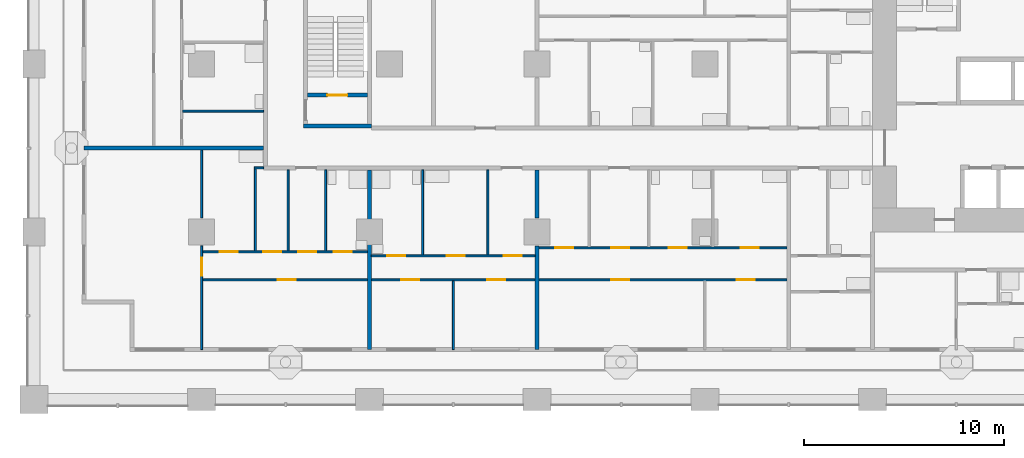
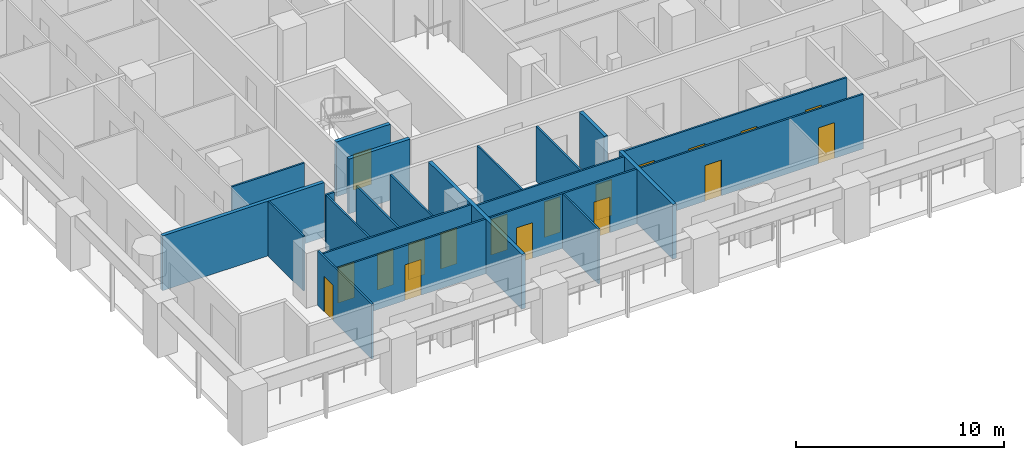
# One storey, part 2 of 22: 20 walls, 18 doors, 18 openings.
"""IFC4 building model written with IfcOpenShell, lengths in metres."""

from ifc_helpers import new_model, si_unit, direction, frame, frame_2d, origin, place, context, subcontext, project, spatial, rectangle, extrude, material, layer, layer_set, type_object, element, fill, save


model = new_model("IFC4")

# Units and contexts
model_context = context("Model", 3, precision=1e-05, world=origin(), true_north=direction((0.0, 1.0)))
body_context = subcontext(model_context, "Body", "Model", "MODEL_VIEW")
ifc_project = project(units=[si_unit("LENGTHUNIT", "METRE"), si_unit("AREAUNIT", "SQUARE_METRE"), si_unit("VOLUMEUNIT", "CUBIC_METRE"), si_unit("PLANEANGLEUNIT", "RADIAN"), si_unit("MASSUNIT", "GRAM", prefix="KILO")], contexts=[model_context])

# Site, building, storey
site_placement = place(None, origin())
site = spatial("IfcSite", under=ifc_project, at=site_placement, CompositionType="ELEMENT")
building_placement = place(site_placement, origin())
building = spatial("IfcBuilding", under=site, at=building_placement, Name="Vermilion Gate Residences", CompositionType="ELEMENT")
storey_placement = place(building_placement, frame((0.0, 0.0, 56.699951171875)))
storey = spatial("IfcBuildingStorey", under=building, at=storey_placement, Name="L13", CompositionType="ELEMENT", Elevation=56.699951171875)

# Wall, openings, doors
ifc_material_1 = material(Name="Plasterboard on steel studs", Category="steel")
ifc_layer_1 = layer(ifc_material_1, 0.10009765625)
ifc_layer_set_1 = layer_set([ifc_layer_1], Name="PARTITION 100")
wall_type_1 = type_object("IfcWallType", Name="PARTITION 100", PredefinedType="PARTITIONING", material=ifc_layer_set_1)
wall_1_placement = place(storey_placement, frame((8.449951171875, 6.0, 0.0), z_axis=(0.0, 0.0, 1.0), x_axis=(1.0, 0.0, 0.0)))
wall_1 = element("IfcWall", 1, at=wall_1_placement, inside=storey, type_object=wall_type_1, Name="Partition", PredefinedType="PARTITIONING", context=body_context, shape_type="SweptSolid", body=[
    extrude(rectangle(XDim=29.25, YDim=0.10009765625, at=frame_2d((14.625, 0.0))), origin(), (0.0, 0.0, 1.0), 3.219970703125),
])
opening_1_placement = place(wall_1_placement, frame((3.75, 0.0, 0.0)))
opening_1 = element("IfcOpeningElement", 2, at=opening_1_placement, cuts=wall_1, Name="Opening DA13006", PredefinedType="OPENING", context=body_context, shape_type="SweptSolid", body=[
    extrude(rectangle(XDim=0.89990234375, YDim=2.10009765625, at=frame_2d((0.449951171875, 1.050048828125))), frame((0.0, 0.06005859375, 0.0), z_axis=(0.0, -1.0, 0.0), x_axis=(1.0, 0.0, 0.0)), (0.0, 0.0, 1.0), 0.1201171875),
])
opening_2_placement = place(wall_1_placement, frame((9.949951171875, 0.0, 0.0)))
opening_2 = element("IfcOpeningElement", 3, at=opening_2_placement, cuts=wall_1, Name="Opening DA13007", PredefinedType="OPENING", context=body_context, shape_type="SweptSolid", body=[
    extrude(rectangle(XDim=0.89990234375, YDim=2.10009765625, at=frame_2d((0.449951171875, 1.050048828125))), frame((0.0, 0.06005859375, 0.0), z_axis=(0.0, -1.0, 0.0), x_axis=(1.0, 0.0, 0.0)), (0.0, 0.0, 1.0), 0.1201171875),
])
opening_3_placement = place(wall_1_placement, frame((14.25, 0.0, 0.0)))
opening_3 = element("IfcOpeningElement", 4, at=opening_3_placement, cuts=wall_1, Name="Opening DA13008", PredefinedType="OPENING", context=body_context, shape_type="SweptSolid", body=[
    extrude(rectangle(XDim=0.89990234375, YDim=2.10009765625, at=frame_2d((0.449951171875, 1.050048828125))), frame((0.0, 0.06005859375, 0.0), z_axis=(0.0, -1.0, 0.0), x_axis=(1.0, 0.0, 0.0)), (0.0, 0.0, 1.0), 0.1201171875),
])
opening_4_placement = place(wall_1_placement, frame((20.449951171875, 0.0, 0.0)))
opening_4 = element("IfcOpeningElement", 5, at=opening_4_placement, cuts=wall_1, Name="Opening DA13009", PredefinedType="OPENING", context=body_context, shape_type="SweptSolid", body=[
    extrude(rectangle(XDim=0.89990234375, YDim=2.10009765625, at=frame_2d((0.449951171875, 1.050048828125))), frame((0.0, 0.06005859375, 0.0), z_axis=(0.0, -1.0, 0.0), x_axis=(1.0, 0.0, 0.0)), (0.0, 0.0, 1.0), 0.1201171875),
])
opening_5_placement = place(wall_1_placement, frame((26.75, 0.0, 0.0)))
opening_5 = element("IfcOpeningElement", 6, at=opening_5_placement, cuts=wall_1, Name="Opening DA13010", PredefinedType="OPENING", context=body_context, shape_type="SweptSolid", body=[
    extrude(rectangle(XDim=0.89990234375, YDim=2.10009765625, at=frame_2d((0.449951171875, 1.050048828125))), frame((0.0, 0.06005859375, 0.0), z_axis=(0.0, -1.0, 0.0), x_axis=(1.0, 0.0, 0.0)), (0.0, 0.0, 1.0), 0.1201171875),
])
ifc_material_2 = material(Name="Timber", Category="wood")
door_type_1 = type_object("IfcDoorType", Name="INTERIOR DOOR 900 X 2100", OperationType="SINGLE_SWING_LEFT", PredefinedType="DOOR", material=ifc_material_2)
door_1_placement = place(opening_1_placement, frame((0.89990234375, 0.0, 0.0), z_axis=(0.0, 0.0, 1.0), x_axis=(-1.0, 0.0, 0.0)))
door_1 = element("IfcDoor", 7, at=door_1_placement, inside=storey, type_object=door_type_1, Name="Interior door", OperationType="SINGLE_SWING_RIGHT", OverallHeight=2.10009765625, OverallWidth=0.89990234375, PredefinedType="DOOR", context=body_context, shape_type="SweptSolid", body=[
    extrude(rectangle(XDim=0.89990234375, YDim=2.10009765625, at=frame_2d((0.449951171875, 1.050048828125))), frame((0.0, 0.02490234375, 0.0), z_axis=(0.0, -1.0, 0.0), x_axis=(1.0, 0.0, 0.0)), (0.0, 0.0, 1.0), 0.050048828125),
])
fill(opening_1, door_1)
door_2_placement = place(opening_2_placement, frame((0.89990234375, 0.0, 0.0), z_axis=(0.0, 0.0, 1.0), x_axis=(-1.0, 0.0, 0.0)))
door_2 = element("IfcDoor", 8, at=door_2_placement, inside=storey, type_object=door_type_1, Name="Interior door", OperationType="SINGLE_SWING_RIGHT", OverallHeight=2.10009765625, OverallWidth=0.89990234375, PredefinedType="DOOR", context=body_context, shape_type="SweptSolid", body=[
    extrude(rectangle(XDim=0.89990234375, YDim=2.10009765625, at=frame_2d((0.449951171875, 1.050048828125))), frame((0.0, 0.02490234375, 0.0), z_axis=(0.0, -1.0, 0.0), x_axis=(1.0, 0.0, 0.0)), (0.0, 0.0, 1.0), 0.050048828125),
])
fill(opening_2, door_2)
door_3_placement = place(opening_3_placement, frame((0.89990234375, 0.0, 0.0), z_axis=(0.0, 0.0, 1.0), x_axis=(-1.0, 0.0, 0.0)))
door_3 = element("IfcDoor", 9, at=door_3_placement, inside=storey, type_object=door_type_1, Name="Interior door", OperationType="SINGLE_SWING_LEFT", OverallHeight=2.10009765625, OverallWidth=0.89990234375, PredefinedType="DOOR", context=body_context, shape_type="SweptSolid", body=[
    extrude(rectangle(XDim=0.89990234375, YDim=2.10009765625, at=frame_2d((0.449951171875, 1.050048828125))), frame((0.0, 0.02490234375, 0.0), z_axis=(0.0, -1.0, 0.0), x_axis=(1.0, 0.0, 0.0)), (0.0, 0.0, 1.0), 0.050048828125),
])
fill(opening_3, door_3)
door_4_placement = place(opening_4_placement, frame((0.89990234375, 0.0, 0.0), z_axis=(0.0, 0.0, 1.0), x_axis=(-1.0, 0.0, 0.0)))
door_4 = element("IfcDoor", 10, at=door_4_placement, inside=storey, type_object=door_type_1, Name="Interior door", OperationType="SINGLE_SWING_RIGHT", OverallHeight=2.10009765625, OverallWidth=0.89990234375, PredefinedType="DOOR", context=body_context, shape_type="SweptSolid", body=[
    extrude(rectangle(XDim=0.89990234375, YDim=2.10009765625, at=frame_2d((0.449951171875, 1.050048828125))), frame((0.0, 0.02490234375, 0.0), z_axis=(0.0, -1.0, 0.0), x_axis=(1.0, 0.0, 0.0)), (0.0, 0.0, 1.0), 0.050048828125),
])
fill(opening_4, door_4)
door_5_placement = place(opening_5_placement, frame((0.89990234375, 0.0, 0.0), z_axis=(0.0, 0.0, 1.0), x_axis=(-1.0, 0.0, 0.0)))
door_5 = element("IfcDoor", 11, at=door_5_placement, inside=storey, type_object=door_type_1, Name="Interior door", OperationType="SINGLE_SWING_RIGHT", OverallHeight=2.10009765625, OverallWidth=0.89990234375, PredefinedType="DOOR", context=body_context, shape_type="SweptSolid", body=[
    extrude(rectangle(XDim=0.89990234375, YDim=2.10009765625, at=frame_2d((0.449951171875, 1.050048828125))), frame((0.0, 0.02490234375, 0.0), z_axis=(0.0, -1.0, 0.0), x_axis=(1.0, 0.0, 0.0)), (0.0, 0.0, 1.0), 0.050048828125),
])
fill(opening_5, door_5)

wall_2_placement = place(storey_placement, frame((16.89990234375, 7.199951171875, 0.0), z_axis=(0.0, 0.0, 1.0), x_axis=(1.0, 0.0, 0.0)))
wall_2 = element("IfcWall", 12, at=wall_2_placement, inside=storey, type_object=wall_type_1, Name="Partition", PredefinedType="PARTITIONING", context=body_context, shape_type="SweptSolid", body=[
    extrude(rectangle(XDim=8.2001953125, YDim=0.10009765625, at=frame_2d((4.10009765625, 0.0))), origin(), (0.0, 0.0, 1.0), 3.219970703125),
])
opening_6_placement = place(wall_2_placement, frame((6.633056640625, 0.0, 0.0)))
opening_6 = element("IfcOpeningElement", 13, at=opening_6_placement, cuts=wall_2, Name="Opening DA13014", PredefinedType="OPENING", context=body_context, shape_type="SweptSolid", body=[
    extrude(rectangle(XDim=0.89990234375, YDim=2.10009765625, at=frame_2d((0.449951171875, 1.050048828125))), frame((0.0, 0.06005859375, 0.0), z_axis=(0.0, -1.0, 0.0), x_axis=(1.0, 0.0, 0.0)), (0.0, 0.0, 1.0), 0.1201171875),
])
opening_7_placement = place(wall_2_placement, frame((0.800048828125, 0.0, 0.0)))
opening_7 = element("IfcOpeningElement", 14, at=opening_7_placement, cuts=wall_2, Name="Opening DA13015", PredefinedType="OPENING", context=body_context, shape_type="SweptSolid", body=[
    extrude(rectangle(XDim=0.89990234375, YDim=2.10009765625, at=frame_2d((0.449951171875, 1.050048828125))), frame((0.0, 0.06005859375, 0.0), z_axis=(0.0, -1.0, 0.0), x_axis=(1.0, 0.0, 0.0)), (0.0, 0.0, 1.0), 0.1201171875),
])
opening_8_placement = place(wall_2_placement, frame((3.76708984375, 0.0, 0.0)))
opening_8 = element("IfcOpeningElement", 15, at=opening_8_placement, cuts=wall_2, Name="Opening DA13016", PredefinedType="OPENING", context=body_context, shape_type="SweptSolid", body=[
    extrude(rectangle(XDim=0.89990234375, YDim=2.10009765625, at=frame_2d((0.449951171875, 1.050048828125))), frame((0.0, 0.06005859375, 0.0), z_axis=(0.0, -1.0, 0.0), x_axis=(1.0, 0.0, 0.0)), (0.0, 0.0, 1.0), 0.1201171875),
])
door_6_placement = place(opening_6_placement, frame((0.89990234375, 0.0, 0.0), z_axis=(0.0, 0.0, 1.0), x_axis=(-1.0, 0.0, 0.0)))
door_6 = element("IfcDoor", 16, at=door_6_placement, inside=storey, type_object=door_type_1, Name="Interior door", OperationType="SINGLE_SWING_LEFT", OverallHeight=2.10009765625, OverallWidth=0.89990234375, PredefinedType="DOOR", context=body_context, shape_type="SweptSolid", body=[
    extrude(rectangle(XDim=0.89990234375, YDim=2.10009765625, at=frame_2d((0.449951171875, 1.050048828125))), frame((0.0, 0.02490234375, 0.0), z_axis=(0.0, -1.0, 0.0), x_axis=(1.0, 0.0, 0.0)), (0.0, 0.0, 1.0), 0.050048828125),
])
fill(opening_6, door_6)
door_7_placement = place(opening_7_placement, origin())
door_7 = element("IfcDoor", 17, at=door_7_placement, inside=storey, type_object=door_type_1, Name="Interior door", OperationType="SINGLE_SWING_LEFT", OverallHeight=2.10009765625, OverallWidth=0.89990234375, PredefinedType="DOOR", context=body_context, shape_type="SweptSolid", body=[
    extrude(rectangle(XDim=0.89990234375, YDim=2.10009765625, at=frame_2d((0.449951171875, 1.050048828125))), frame((0.0, 0.02490234375, 0.0), z_axis=(0.0, -1.0, 0.0), x_axis=(1.0, 0.0, 0.0)), (0.0, 0.0, 1.0), 0.050048828125),
])
fill(opening_7, door_7)
door_8_placement = place(opening_8_placement, origin())
door_8 = element("IfcDoor", 18, at=door_8_placement, inside=storey, type_object=door_type_1, Name="Interior door", OperationType="SINGLE_SWING_RIGHT", OverallHeight=2.10009765625, OverallWidth=0.89990234375, PredefinedType="DOOR", context=body_context, shape_type="SweptSolid", body=[
    extrude(rectangle(XDim=0.89990234375, YDim=2.10009765625, at=frame_2d((0.449951171875, 1.050048828125))), frame((0.0, 0.02490234375, 0.0), z_axis=(0.0, -1.0, 0.0), x_axis=(1.0, 0.0, 0.0)), (0.0, 0.0, 1.0), 0.050048828125),
])
fill(opening_8, door_8)

wall_3_placement = place(storey_placement, frame((8.449951171875, 7.39990234375, 0.0), z_axis=(0.0, 0.0, 1.0), x_axis=(1.0, 0.0, 0.0)))
wall_3 = element("IfcWall", 19, at=wall_3_placement, inside=storey, type_object=wall_type_1, Name="Partition", PredefinedType="PARTITIONING", context=body_context, shape_type="SweptSolid", body=[
    extrude(rectangle(XDim=8.25, YDim=0.10009765625, at=frame_2d((4.125, 0.0))), origin(), (0.0, 0.0, 1.0), 3.219970703125),
])
opening_9_placement = place(wall_3_placement, frame((4.77587890625, 0.0, 0.0)))
opening_9 = element("IfcOpeningElement", 20, at=opening_9_placement, cuts=wall_3, Name="Opening DA13019", PredefinedType="OPENING", context=body_context, shape_type="SweptSolid", body=[
    extrude(rectangle(XDim=0.89990234375, YDim=2.10009765625, at=frame_2d((0.449951171875, 1.050048828125))), frame((0.0, 0.06005859375, 0.0), z_axis=(0.0, -1.0, 0.0), x_axis=(1.0, 0.0, 0.0)), (0.0, 0.0, 1.0), 0.1201171875),
])
opening_10_placement = place(wall_3_placement, frame((0.85009765625, 0.0, 0.0)))
opening_10 = element("IfcOpeningElement", 21, at=opening_10_placement, cuts=wall_3, Name="Opening DA13020", PredefinedType="OPENING", context=body_context, shape_type="SweptSolid", body=[
    extrude(rectangle(XDim=0.89990234375, YDim=2.10009765625, at=frame_2d((0.449951171875, 1.050048828125))), frame((0.0, 0.06005859375, 0.0), z_axis=(0.0, -1.0, 0.0), x_axis=(1.0, 0.0, 0.0)), (0.0, 0.0, 1.0), 0.1201171875),
])
opening_11_placement = place(wall_3_placement, frame((3.033935546875, 0.0, 0.0)))
opening_11 = element("IfcOpeningElement", 22, at=opening_11_placement, cuts=wall_3, Name="Opening DA13021", PredefinedType="OPENING", context=body_context, shape_type="SweptSolid", body=[
    extrude(rectangle(XDim=0.89990234375, YDim=2.10009765625, at=frame_2d((0.449951171875, 1.050048828125))), frame((0.0, 0.06005859375, 0.0), z_axis=(0.0, -1.0, 0.0), x_axis=(1.0, 0.0, 0.0)), (0.0, 0.0, 1.0), 0.1201171875),
])
opening_12_placement = place(wall_3_placement, frame((6.56103515625, 0.0, 0.0)))
opening_12 = element("IfcOpeningElement", 23, at=opening_12_placement, cuts=wall_3, Name="Opening DA13022", PredefinedType="OPENING", context=body_context, shape_type="SweptSolid", body=[
    extrude(rectangle(XDim=0.89990234375, YDim=2.10009765625, at=frame_2d((0.449951171875, 1.050048828125))), frame((0.0, 0.06005859375, 0.0), z_axis=(0.0, -1.0, 0.0), x_axis=(1.0, 0.0, 0.0)), (0.0, 0.0, 1.0), 0.1201171875),
])
door_9_placement = place(opening_9_placement, origin())
door_9 = element("IfcDoor", 24, at=door_9_placement, inside=storey, type_object=door_type_1, Name="Interior door", OperationType="SINGLE_SWING_RIGHT", OverallHeight=2.10009765625, OverallWidth=0.89990234375, PredefinedType="DOOR", context=body_context, shape_type="SweptSolid", body=[
    extrude(rectangle(XDim=0.89990234375, YDim=2.10009765625, at=frame_2d((0.449951171875, 1.050048828125))), frame((0.0, 0.02490234375, 0.0), z_axis=(0.0, -1.0, 0.0), x_axis=(1.0, 0.0, 0.0)), (0.0, 0.0, 1.0), 0.050048828125),
])
fill(opening_9, door_9)
door_10_placement = place(opening_10_placement, origin())
door_10 = element("IfcDoor", 25, at=door_10_placement, inside=storey, type_object=door_type_1, Name="Interior door", OperationType="SINGLE_SWING_RIGHT", OverallHeight=2.10009765625, OverallWidth=0.89990234375, PredefinedType="DOOR", context=body_context, shape_type="SweptSolid", body=[
    extrude(rectangle(XDim=0.89990234375, YDim=2.10009765625, at=frame_2d((0.449951171875, 1.050048828125))), frame((0.0, 0.02490234375, 0.0), z_axis=(0.0, -1.0, 0.0), x_axis=(1.0, 0.0, 0.0)), (0.0, 0.0, 1.0), 0.050048828125),
])
fill(opening_10, door_10)
door_11_placement = place(opening_11_placement, origin())
door_11 = element("IfcDoor", 26, at=door_11_placement, inside=storey, type_object=door_type_1, Name="Interior door", OperationType="SINGLE_SWING_RIGHT", OverallHeight=2.10009765625, OverallWidth=0.89990234375, PredefinedType="DOOR", context=body_context, shape_type="SweptSolid", body=[
    extrude(rectangle(XDim=0.89990234375, YDim=2.10009765625, at=frame_2d((0.449951171875, 1.050048828125))), frame((0.0, 0.02490234375, 0.0), z_axis=(0.0, -1.0, 0.0), x_axis=(1.0, 0.0, 0.0)), (0.0, 0.0, 1.0), 0.050048828125),
])
fill(opening_11, door_11)
door_12_placement = place(opening_12_placement, origin())
door_12 = element("IfcDoor", 27, at=door_12_placement, inside=storey, type_object=door_type_1, Name="Interior door", OperationType="SINGLE_SWING_RIGHT", OverallHeight=2.10009765625, OverallWidth=0.89990234375, PredefinedType="DOOR", context=body_context, shape_type="SweptSolid", body=[
    extrude(rectangle(XDim=0.89990234375, YDim=2.10009765625, at=frame_2d((0.449951171875, 1.050048828125))), frame((0.0, 0.02490234375, 0.0), z_axis=(0.0, -1.0, 0.0), x_axis=(1.0, 0.0, 0.0)), (0.0, 0.0, 1.0), 0.050048828125),
])
fill(opening_12, door_12)

wall_4_placement = place(storey_placement, frame((25.300048828125, 7.60009765625, 0.0), z_axis=(0.0, 0.0, 1.0), x_axis=(1.0, 0.0, 0.0)))
wall_4 = element("IfcWall", 28, at=wall_4_placement, inside=storey, type_object=wall_type_1, Name="Partition", PredefinedType="PARTITIONING", context=body_context, shape_type="SweptSolid", body=[
    extrude(rectangle(XDim=12.39990234375, YDim=0.10009765625, at=frame_2d((6.199951171875, 0.0))), origin(), (0.0, 0.0, 1.0), 3.219970703125),
])
opening_13_placement = place(wall_4_placement, frame((3.60009765625, 0.0, 0.0)))
opening_13 = element("IfcOpeningElement", 29, at=opening_13_placement, cuts=wall_4, Name="Opening DA13023", PredefinedType="OPENING", context=body_context, shape_type="SweptSolid", body=[
    extrude(rectangle(XDim=0.89990234375, YDim=2.10009765625, at=frame_2d((0.449951171875, 1.050048828125))), frame((0.0, 0.06005859375, 0.0), z_axis=(0.0, -1.0, 0.0), x_axis=(1.0, 0.0, 0.0)), (0.0, 0.0, 1.0), 0.1201171875),
])
opening_14_placement = place(wall_4_placement, frame((0.800048828125, 0.0, 0.0)))
opening_14 = element("IfcOpeningElement", 30, at=opening_14_placement, cuts=wall_4, Name="Opening DA13024", PredefinedType="OPENING", context=body_context, shape_type="SweptSolid", body=[
    extrude(rectangle(XDim=0.89990234375, YDim=2.10009765625, at=frame_2d((0.449951171875, 1.050048828125))), frame((0.0, 0.06005859375, 0.0), z_axis=(0.0, -1.0, 0.0), x_axis=(1.0, 0.0, 0.0)), (0.0, 0.0, 1.0), 0.1201171875),
])
opening_15_placement = place(wall_4_placement, frame((6.5, 0.0, 0.0)))
opening_15 = element("IfcOpeningElement", 31, at=opening_15_placement, cuts=wall_4, Name="Opening DA13025", PredefinedType="OPENING", context=body_context, shape_type="SweptSolid", body=[
    extrude(rectangle(XDim=0.89990234375, YDim=2.10009765625, at=frame_2d((0.449951171875, 1.050048828125))), frame((0.0, 0.06005859375, 0.0), z_axis=(0.0, -1.0, 0.0), x_axis=(1.0, 0.0, 0.0)), (0.0, 0.0, 1.0), 0.1201171875),
])
opening_16_placement = place(wall_4_placement, frame((10.10009765625, 0.0, 0.0)))
opening_16 = element("IfcOpeningElement", 32, at=opening_16_placement, cuts=wall_4, Name="Opening DA13026", PredefinedType="OPENING", context=body_context, shape_type="SweptSolid", body=[
    extrude(rectangle(XDim=0.89990234375, YDim=2.10009765625, at=frame_2d((0.449951171875, 1.050048828125))), frame((0.0, 0.06005859375, 0.0), z_axis=(0.0, -1.0, 0.0), x_axis=(1.0, 0.0, 0.0)), (0.0, 0.0, 1.0), 0.1201171875),
])
door_13_placement = place(opening_13_placement, origin())
door_13 = element("IfcDoor", 33, at=door_13_placement, inside=storey, type_object=door_type_1, Name="Interior door", OperationType="SINGLE_SWING_RIGHT", OverallHeight=2.10009765625, OverallWidth=0.89990234375, PredefinedType="DOOR", context=body_context, shape_type="SweptSolid", body=[
    extrude(rectangle(XDim=0.89990234375, YDim=2.10009765625, at=frame_2d((0.449951171875, 1.050048828125))), frame((0.0, 0.02490234375, 0.0), z_axis=(0.0, -1.0, 0.0), x_axis=(1.0, 0.0, 0.0)), (0.0, 0.0, 1.0), 0.050048828125),
])
fill(opening_13, door_13)
door_14_placement = place(opening_14_placement, origin())
door_14 = element("IfcDoor", 34, at=door_14_placement, inside=storey, type_object=door_type_1, Name="Interior door", OperationType="SINGLE_SWING_LEFT", OverallHeight=2.10009765625, OverallWidth=0.89990234375, PredefinedType="DOOR", context=body_context, shape_type="SweptSolid", body=[
    extrude(rectangle(XDim=0.89990234375, YDim=2.10009765625, at=frame_2d((0.449951171875, 1.050048828125))), frame((0.0, 0.02490234375, 0.0), z_axis=(0.0, -1.0, 0.0), x_axis=(1.0, 0.0, 0.0)), (0.0, 0.0, 1.0), 0.050048828125),
])
fill(opening_14, door_14)
door_15_placement = place(opening_15_placement, origin())
door_15 = element("IfcDoor", 35, at=door_15_placement, inside=storey, type_object=door_type_1, Name="Interior door", OperationType="SINGLE_SWING_RIGHT", OverallHeight=2.10009765625, OverallWidth=0.89990234375, PredefinedType="DOOR", context=body_context, shape_type="SweptSolid", body=[
    extrude(rectangle(XDim=0.89990234375, YDim=2.10009765625, at=frame_2d((0.449951171875, 1.050048828125))), frame((0.0, 0.02490234375, 0.0), z_axis=(0.0, -1.0, 0.0), x_axis=(1.0, 0.0, 0.0)), (0.0, 0.0, 1.0), 0.050048828125),
])
fill(opening_15, door_15)
door_16_placement = place(opening_16_placement, origin())
door_16 = element("IfcDoor", 36, at=door_16_placement, inside=storey, type_object=door_type_1, Name="Interior door", OperationType="SINGLE_SWING_LEFT", OverallHeight=2.10009765625, OverallWidth=0.89990234375, PredefinedType="DOOR", context=body_context, shape_type="SweptSolid", body=[
    extrude(rectangle(XDim=0.89990234375, YDim=2.10009765625, at=frame_2d((0.449951171875, 1.050048828125))), frame((0.0, 0.02490234375, 0.0), z_axis=(0.0, -1.0, 0.0), x_axis=(1.0, 0.0, 0.0)), (0.0, 0.0, 1.0), 0.050048828125),
])
fill(opening_16, door_16)

# Walls
wall_5_placement = place(storey_placement, frame((11.033935546875, 11.60009765625, 0.0), z_axis=(0.0, 0.0, 1.0), x_axis=(1.0, 0.0, 0.0)))
element("IfcWall", 37, at=wall_5_placement, inside=storey, type_object=wall_type_1, Name="Partition", PredefinedType="PARTITIONING", context=body_context, shape_type="SweptSolid", body=[
    extrude(rectangle(XDim=0.466064453125, YDim=0.10009765625, at=frame_2d((0.23291015625, 0.0))), origin(), (0.0, 0.0, 1.0), 3.219970703125),
])
wall_6_placement = place(storey_placement, frame((7.449951171875, 14.449951171875, 0.0), z_axis=(0.0, 0.0, 1.0), x_axis=(1.0, 0.0, 0.0)))
element("IfcWall", 38, at=wall_6_placement, inside=storey, type_object=wall_type_1, Name="Partition", PredefinedType="PARTITIONING", context=body_context, shape_type="SweptSolid", body=[
    extrude(rectangle(XDim=4.050048828125, YDim=0.10009765625, at=frame_2d((2.02490234375, 0.0))), origin(), (0.0, 0.0, 1.0), 3.219970703125),
])

# Wall, opening, door
wall_7_placement = place(storey_placement, frame((8.39990234375, 2.5, 0.0), z_axis=(0.0, 0.0, 1.0), x_axis=(0.0, 1.0, 0.0)))
wall_7 = element("IfcWall", 39, at=wall_7_placement, inside=storey, type_object=wall_type_1, Name="Partition", PredefinedType="PARTITIONING", context=body_context, shape_type="SweptSolid", body=[
    extrude(rectangle(XDim=5.199951171875, YDim=0.10009765625, at=frame_2d((2.60009765625, 0.0))), origin(), (0.0, 0.0, 1.0), 3.219970703125),
])
opening_17_placement = place(wall_7_placement, frame((3.699951171875, 0.0, 0.0)))
opening_17 = element("IfcOpeningElement", 40, at=opening_17_placement, cuts=wall_7, Name="Opening DA13065", PredefinedType="OPENING", context=body_context, shape_type="SweptSolid", body=[
    extrude(rectangle(XDim=0.89990234375, YDim=2.10009765625, at=frame_2d((0.449951171875, 1.050048828125))), frame((0.0, 0.06005859375, 0.0), z_axis=(0.0, -1.0, 0.0), x_axis=(1.0, 0.0, 0.0)), (0.0, 0.0, 1.0), 0.1201171875),
])
door_17_placement = place(opening_17_placement, origin())
door_17 = element("IfcDoor", 41, at=door_17_placement, inside=storey, type_object=door_type_1, Name="Interior door", OperationType="SINGLE_SWING_RIGHT", OverallHeight=2.10009765625, OverallWidth=0.89990234375, PredefinedType="DOOR", context=body_context, shape_type="SweptSolid", body=[
    extrude(rectangle(XDim=0.89990234375, YDim=2.10009765625, at=frame_2d((0.449951171875, 1.050048828125))), frame((0.0, 0.02490234375, 0.0), z_axis=(0.0, -1.0, 0.0), x_axis=(1.0, 0.0, 0.0)), (0.0, 0.0, 1.0), 0.050048828125),
])
fill(opening_17, door_17)

# Walls
wall_8_placement = place(storey_placement, frame((8.39990234375, 9.10009765625, 0.0), z_axis=(0.0, 0.0, 1.0), x_axis=(0.0, 1.0, 0.0)))
element("IfcWall", 42, at=wall_8_placement, inside=storey, type_object=wall_type_1, Name="Partition", PredefinedType="PARTITIONING", context=body_context, shape_type="SweptSolid", body=[
    extrude(rectangle(XDim=3.39990234375, YDim=0.10009765625, at=frame_2d((1.699951171875, 0.0))), origin(), (0.0, 0.0, 1.0), 3.219970703125),
])
wall_9_placement = place(storey_placement, frame((11.083984375, 7.449951171875, 0.0), z_axis=(0.0, 0.0, 1.0), x_axis=(0.0, 1.0, 0.0)))
element("IfcWall", 43, at=wall_9_placement, inside=storey, type_object=wall_type_1, Name="Partition", PredefinedType="PARTITIONING", context=body_context, shape_type="SweptSolid", body=[
    extrude(rectangle(XDim=4.10009765625, YDim=0.10009765625, at=frame_2d((2.050048828125, 0.0))), origin(), (0.0, 0.0, 1.0), 3.219970703125),
])
for number, where, z_axis, x_axis, name in (
    (44, (12.72607421875, 7.449951171875, 0.0), (0.0, 0.0, 1.0), (0.0, 1.0, 0.0), "Partition"),
    (45, (14.611083984375, 7.449951171875, 0.0), (0.0, 0.0, 1.0), (0.0, 1.0, 0.0), "Partition"),
):
    element("IfcWall", number, at=place(storey_placement, frame(where, z_axis=z_axis, x_axis=x_axis)), inside=storey, type_object=wall_type_1, Name=name, PredefinedType="PARTITIONING", context=body_context, shape_type="SweptSolid", body=[
        extrude(rectangle(XDim=4.050048828125, YDim=0.10009765625, at=frame_2d((2.02490234375, 0.0))), origin(), (0.0, 0.0, 1.0), 3.219970703125),
    ])
wall_10_placement = place(storey_placement, frame((19.467041015625, 7.25, 0.0), z_axis=(0.0, 0.0, 1.0), x_axis=(0.0, 1.0, 0.0)))
element("IfcWall", 46, at=wall_10_placement, inside=storey, type_object=wall_type_1, Name="Partition", PredefinedType="PARTITIONING", context=body_context, shape_type="SweptSolid", body=[
    extrude(rectangle(XDim=4.25, YDim=0.10009765625, at=frame_2d((2.125, 0.0))), origin(), (0.0, 0.0, 1.0), 3.219970703125),
])
wall_11_placement = place(storey_placement, frame((21.0, 2.5, 0.0), z_axis=(0.0, 0.0, 1.0), x_axis=(0.0, 1.0, 0.0)))
element("IfcWall", 47, at=wall_11_placement, inside=storey, type_object=wall_type_1, Name="Partition", PredefinedType="PARTITIONING", context=body_context, shape_type="SweptSolid", body=[
    extrude(rectangle(XDim=3.449951171875, YDim=0.10009765625, at=frame_2d((1.72509765625, 0.0))), origin(), (0.0, 0.0, 1.0), 3.219970703125),
])
wall_12_placement = place(storey_placement, frame((22.73291015625, 7.25, 0.0), z_axis=(0.0, 0.0, 1.0), x_axis=(0.0, 1.0, 0.0)))
element("IfcWall", 48, at=wall_12_placement, inside=storey, type_object=wall_type_1, Name="Partition", PredefinedType="PARTITIONING", context=body_context, shape_type="SweptSolid", body=[
    extrude(rectangle(XDim=4.25, YDim=0.10009765625, at=frame_2d((2.125, 0.0))), origin(), (0.0, 0.0, 1.0), 3.219970703125),
])
ifc_material_3 = material(Name="Fire-rated plasterboard on steel studs", Category="steel")
ifc_layer_2 = layer(ifc_material_3, 0.199951171875)
ifc_layer_set_2 = layer_set([ifc_layer_2], Name="PARTY WALL 200 EI 120")
wall_type_2 = type_object("IfcWallType", Name="PARTY WALL 200 EI 120", PredefinedType="PARTITIONING", material=ifc_layer_set_2)
for number, where, z_axis, x_axis, name in (
    (49, (2.5, 12.60009765625, 0.0), (0.0, 0.0, 1.0), (1.0, 0.0, 0.0), "Party and corridor wall"),
    (50, (16.800048828125, 2.5, 0.0), (0.0, 0.0, 1.0), (0.0, 1.0, 0.0), "Party and corridor wall"),
):
    element("IfcWall", number, at=place(storey_placement, frame(where, z_axis=z_axis, x_axis=x_axis)), inside=storey, type_object=wall_type_2, Name=name, PredefinedType="PARTITIONING", context=body_context, shape_type="SweptSolid", body=[
        extrude(rectangle(XDim=9.0, YDim=0.199951171875, at=frame_2d((4.5, 0.0))), origin(), (0.0, 0.0, 1.0), 3.219970703125),
    ])
wall_13_placement = place(storey_placement, frame((25.199951171875, 2.5, 0.0), z_axis=(0.0, 0.0, 1.0), x_axis=(0.0, 1.0, 0.0)))
element("IfcWall", 51, at=wall_13_placement, inside=storey, type_object=wall_type_2, Name="Party and corridor wall", PredefinedType="PARTITIONING", context=body_context, shape_type="SweptSolid", body=[
    extrude(rectangle(XDim=5.199951171875, YDim=0.199951171875, at=frame_2d((2.60009765625, 0.0))), origin(), (0.0, 0.0, 1.0), 3.219970703125),
])
wall_14_placement = place(storey_placement, frame((25.199951171875, 9.10009765625, 0.0), z_axis=(0.0, 0.0, 1.0), x_axis=(0.0, 1.0, 0.0)))
element("IfcWall", 52, at=wall_14_placement, inside=storey, type_object=wall_type_2, Name="Party and corridor wall", PredefinedType="PARTITIONING", context=body_context, shape_type="SweptSolid", body=[
    extrude(rectangle(XDim=2.39990234375, YDim=0.199951171875, at=frame_2d((1.199951171875, 0.0))), origin(), (0.0, 0.0, 1.0), 3.219970703125),
])
ifc_material_4 = material(Name="Concrete C60", Category="concrete")
ifc_layer_3 = layer(ifc_material_4, 0.199951171875)
ifc_layer_set_3 = layer_set([ifc_layer_3], Name="RC CORE INTERNAL WALL 200 C60")
wall_type_3 = type_object("IfcWallType", Name="RC CORE INTERNAL WALL 200 C60", PredefinedType="SHEAR", material=ifc_layer_set_3)
wall_15_placement = place(storey_placement, frame((13.5, 13.699951171875, 0.0), z_axis=(0.0, 0.0, 1.0), x_axis=(1.0, 0.0, 0.0)))
element("IfcWall", 53, at=wall_15_placement, inside=storey, type_object=wall_type_3, Name="Core internal wall C13-S", PredefinedType="SHEAR", context=body_context, shape_type="SweptSolid", body=[
    extrude(rectangle(XDim=3.39990234375, YDim=0.199951171875, at=frame_2d((1.699951171875, 0.0))), origin(), (0.0, 0.0, 1.0), 3.219970703125),
])

# Wall, opening, door
wall_16_placement = place(storey_placement, frame((13.699951171875, 15.25, 0.0), z_axis=(0.0, 0.0, 1.0), x_axis=(1.0, 0.0, 0.0)))
wall_16 = element("IfcWall", 54, at=wall_16_placement, inside=storey, type_object=wall_type_3, Name="Core internal wall C13-P", PredefinedType="SHEAR", context=body_context, shape_type="SweptSolid", body=[
    extrude(rectangle(XDim=3.0, YDim=0.199951171875, at=frame_2d((1.5, 0.0))), origin(), (0.0, 0.0, 1.0), 3.219970703125),
])
opening_18_placement = place(wall_16_placement, frame((1.0, 0.0, 0.0)))
opening_18 = element("IfcOpeningElement", 55, at=opening_18_placement, cuts=wall_16, Name="Opening DK13202", PredefinedType="OPENING", context=body_context, shape_type="SweptSolid", body=[
    extrude(rectangle(XDim=1.0, YDim=2.10009765625, at=frame_2d((0.5, 1.050048828125))), frame((0.0, 0.10986328125, 0.0), z_axis=(0.0, -1.0, 0.0), x_axis=(1.0, 0.0, 0.0)), (0.0, 0.0, 1.0), 0.219970703125),
])
ifc_material_5 = material(Name="Steel", Category="steel")
door_type_2 = type_object("IfcDoorType", Name="FIRE DOOR FD60 1000 X 2100", OperationType="SINGLE_SWING_LEFT", PredefinedType="DOOR", material=ifc_material_5)
door_18_placement = place(opening_18_placement, origin())
door_18 = element("IfcDoor", 56, at=door_18_placement, inside=storey, type_object=door_type_2, Name="Stair door C13", OperationType="SINGLE_SWING_LEFT", OverallHeight=2.10009765625, OverallWidth=1.0, PredefinedType="DOOR", context=body_context, shape_type="SweptSolid", body=[
    extrude(rectangle(XDim=1.0, YDim=2.10009765625, at=frame_2d((0.5, 1.050048828125))), frame((0.0, 0.02490234375, 0.0), z_axis=(0.0, -1.0, 0.0), x_axis=(1.0, 0.0, 0.0)), (0.0, 0.0, 1.0), 0.050048828125),
])
fill(opening_18, door_18)

save(model, "model.ifc")
